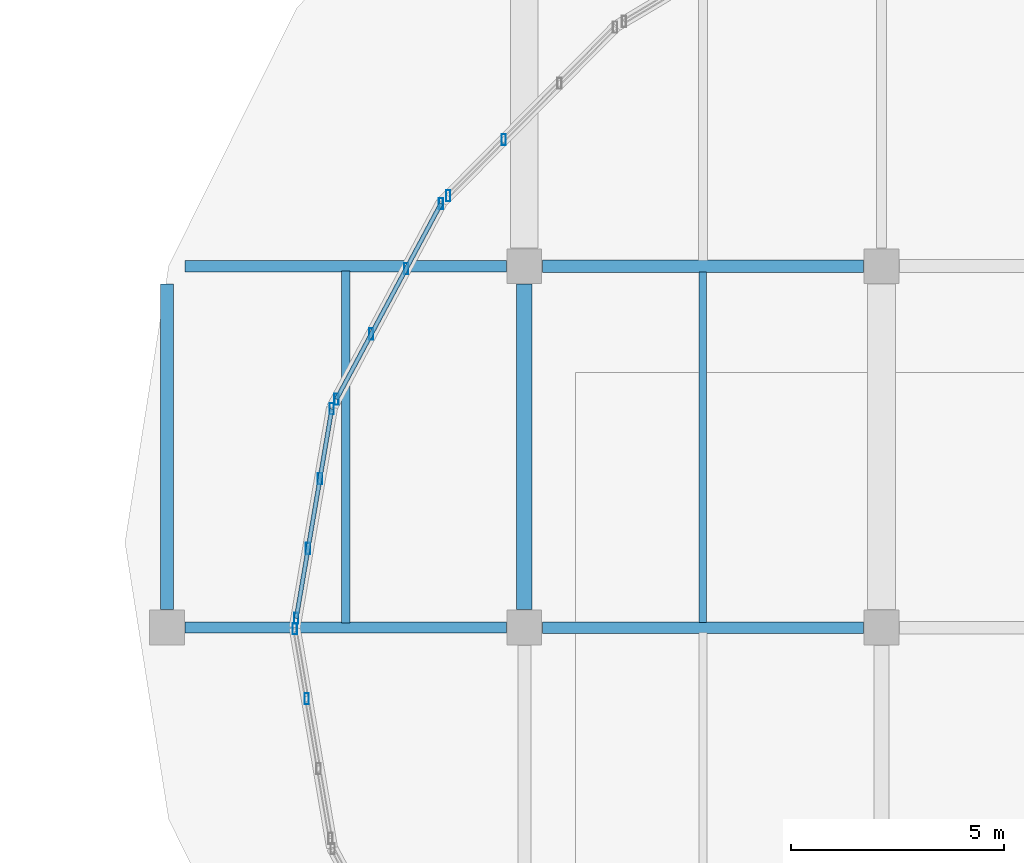
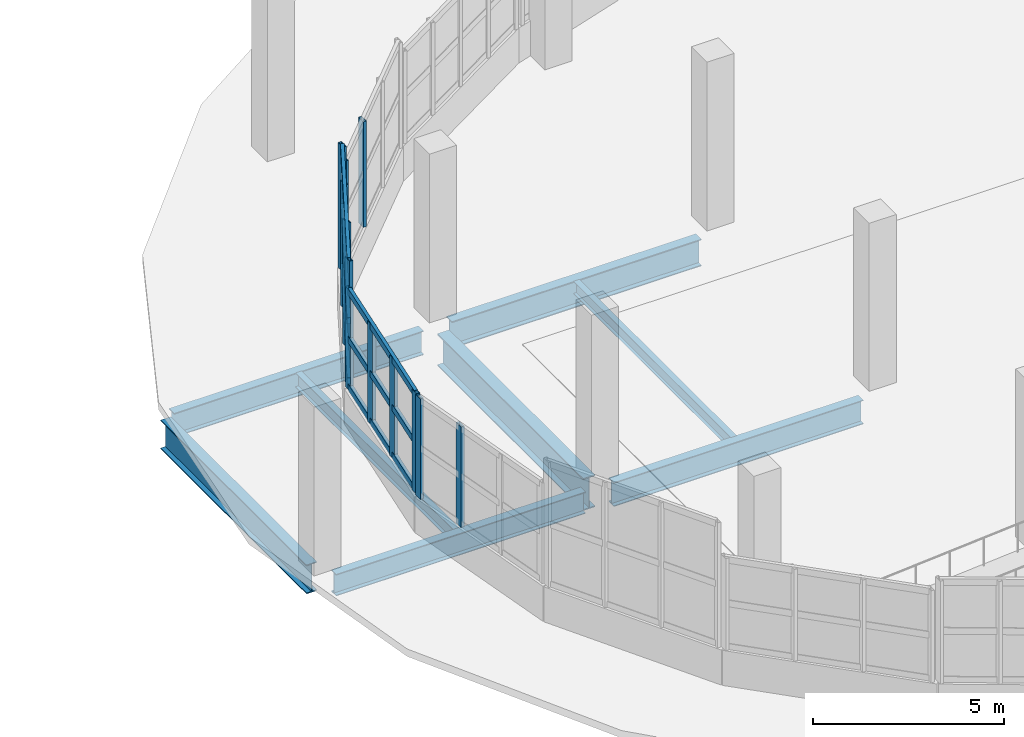
# One storey, part 8 of 107: 18 members, 8 beams, 4 elements without a shape of their own.
"""IFC4 building model written with IfcOpenShell, lengths in metres."""

from ifc_helpers import new_model, si_unit, direction, frame, origin, origin_2d, place, context, subcontext, project, spatial, hollow_rectangle, i_section, extrude, material, material_profile, profile_set, type_object, element, aggregate, save


model = new_model("IFC4")

# Units and contexts
model_context = context("Model", 3, precision=1e-05, world=origin(), true_north=direction((0.0, 1.0)))
body_context = subcontext(model_context, "Body", "Model", "MODEL_VIEW")
ifc_project = project(units=[si_unit("LENGTHUNIT", "METRE"), si_unit("AREAUNIT", "SQUARE_METRE"), si_unit("VOLUMEUNIT", "CUBIC_METRE"), si_unit("PLANEANGLEUNIT", "RADIAN"), si_unit("MASSUNIT", "GRAM", prefix="KILO")], contexts=[model_context])

# Site, building, storey
site_placement = place(None, origin())
site = spatial("IfcSite", under=ifc_project, at=site_placement, CompositionType="ELEMENT")
building_placement = place(site_placement, origin())
building = spatial("IfcBuilding", under=site, at=building_placement, Name="Solvento Point Concert Hall", CompositionType="ELEMENT")
storey_placement = place(building_placement, origin())
storey = spatial("IfcBuildingStorey", under=building, at=storey_placement, Name="L00", CompositionType="ELEMENT", Elevation=0.0)

# Beams
ifc_material_1 = material(Name="Structural Steel ASTM A992 Grade 50", Category="steel")
ifc_material_profile_1 = material_profile(ifc_material_1, i_section(OverallWidth=0.256103515625, OverallDepth=0.693115234375, WebThickness=0.014404296875, FlangeThickness=0.023681640625, at=origin_2d()), Name="W27X114")
ifc_profile_set_1 = profile_set([ifc_material_profile_1], Name="Structural Steel ASTM A992 Grade 50")
beam_type_1 = type_object("IfcBeamType", Name="Girder_W27X114", PredefinedType="USERDEFINED", material=ifc_profile_set_1)
beam_1_placement = place(storey_placement, frame((32.823974609375, 34.0, -0.760498046875), z_axis=(1.0, 0.0, 0.0), x_axis=(0.0, 1.0, 0.0)))
element("IfcBeam", 1, at=beam_1_placement, inside=storey, type_object=beam_type_1, Name="Primary girder B-23 L00", ObjectType="GIRDER", PredefinedType="USERDEFINED", context=body_context, shape_type="SweptSolid", body=[
    extrude(i_section(OverallWidth=0.256103515625, OverallDepth=0.693115234375, WebThickness=0.014404296875, FlangeThickness=0.023681640625, at=origin_2d()), origin(), (0.0, 0.0, 1.0), 7.552001953125),
])
ifc_material_2 = material(Name="Structural Steel ASTM A992 Grade 50", Category="steel")
ifc_material_profile_2 = material_profile(ifc_material_2, i_section(OverallWidth=0.26806640625, OverallDepth=0.77001953125, WebThickness=0.015625, FlangeThickness=0.025390625, at=origin_2d()), Name="W30X132")
ifc_profile_set_2 = profile_set([ifc_material_profile_2], Name="Structural Steel ASTM A992 Grade 50")
beam_type_2 = type_object("IfcBeamType", Name="Girder_W30X132", PredefinedType="USERDEFINED", material=ifc_profile_set_2)
beam_2_placement = place(storey_placement, frame((41.22412109375, 34.0, -0.799072265625), z_axis=(1.0, 0.0, 0.0), x_axis=(0.0, 1.0, 0.0)))
element("IfcBeam", 2, at=beam_2_placement, inside=storey, type_object=beam_type_2, Name="Primary girder B-68 L00", ObjectType="GIRDER", PredefinedType="USERDEFINED", context=body_context, shape_type="SweptSolid", body=[
    extrude(i_section(OverallWidth=0.26806640625, OverallDepth=0.77001953125, WebThickness=0.015625, FlangeThickness=0.025390625, at=origin_2d()), origin(), (0.0, 0.0, 1.0), 7.5517578125),
])
beam_3_placement = place(storey_placement, frame((32.823974609375, 42.5, -0.799072265625), z_axis=(1.0, 0.0, 0.0), x_axis=(0.0, 1.0, 0.0)))
element("IfcBeam", 3, at=beam_3_placement, inside=storey, type_object=beam_type_2, Name="Primary girder B-68 L00", ObjectType="GIRDER", PredefinedType="USERDEFINED", context=body_context, shape_type="SweptSolid", body=[
    extrude(i_section(OverallWidth=0.26806640625, OverallDepth=0.77001953125, WebThickness=0.015625, FlangeThickness=0.025390625, at=origin_2d()), origin(), (0.0, 0.0, 1.0), 7.552001953125),
])
ifc_material_3 = material(Name="Structural Steel ASTM A992 Grade 50", Category="steel")
ifc_material_profile_3 = material_profile(ifc_material_3, i_section(OverallWidth=0.2919921875, OverallDepth=0.85888671875, WebThickness=0.01708984375, FlangeThickness=0.031005859375, at=origin_2d()), Name="W33X169")
ifc_profile_set_3 = profile_set([ifc_material_profile_3], Name="Structural Steel ASTM A992 Grade 50")
beam_type_3 = type_object("IfcBeamType", Name="Girder_W33X169", PredefinedType="USERDEFINED", material=ifc_profile_set_3)
beam_4_placement = place(storey_placement, frame((41.22412109375, 42.5, -0.843505859375), z_axis=(1.0, 0.0, 0.0), x_axis=(0.0, 1.0, 0.0)))
element("IfcBeam", 4, at=beam_4_placement, inside=storey, type_object=beam_type_3, Name="Primary girder B-33 L00", ObjectType="GIRDER", PredefinedType="USERDEFINED", context=body_context, shape_type="SweptSolid", body=[
    extrude(i_section(OverallWidth=0.2919921875, OverallDepth=0.85888671875, WebThickness=0.01708984375, FlangeThickness=0.031005859375, at=origin_2d()), origin(), (0.0, 0.0, 1.0), 7.5517578125),
])
ifc_material_4 = material(Name="Structural Steel ASTM A992 Grade 50", Category="steel")
ifc_material_profile_4 = material_profile(ifc_material_4, i_section(OverallWidth=0.3076171875, OverallDepth=0.927001953125, WebThickness=0.019287109375, FlangeThickness=0.031982421875, at=origin_2d()), Name="W36X194")
ifc_profile_set_4 = profile_set([ifc_material_profile_4], Name="Structural Steel ASTM A992 Grade 50")
beam_type_4 = type_object("IfcBeamType", Name="Girder_W36X194", PredefinedType="USERDEFINED", material=ifc_profile_set_4)
beam_5_placement = place(storey_placement, frame((32.39990234375, 34.424072265625, -0.70751953125), z_axis=(0.0, 1.0, 0.0), x_axis=(-1.0, 0.0, 0.0)))
element("IfcBeam", 5, at=beam_5_placement, inside=storey, type_object=beam_type_4, Name="Primary girder B-61 L00", ObjectType="GIRDER", PredefinedType="USERDEFINED", context=body_context, shape_type="SweptSolid", body=[
    extrude(i_section(OverallWidth=0.3076171875, OverallDepth=0.927001953125, WebThickness=0.019287109375, FlangeThickness=0.031982421875, at=origin_2d()), origin(), (0.0, 0.0, 1.0), 7.65185546875),
])
ifc_material_5 = material(Name="Structural Steel ASTM A992 Grade 50", Category="steel")
ifc_material_profile_5 = material_profile(ifc_material_5, i_section(OverallWidth=0.361083984375, OverallDepth=1.02587890625, WebThickness=0.01904296875, FlangeThickness=0.0361328125, at=origin_2d()), Name="W40X249")
ifc_profile_set_5 = profile_set([ifc_material_profile_5], Name="Structural Steel ASTM A992 Grade 50")
beam_type_5 = type_object("IfcBeamType", Name="Girder_W40X249", PredefinedType="USERDEFINED", material=ifc_profile_set_5)
beam_6_placement = place(storey_placement, frame((40.800048828125, 34.424072265625, -0.927001953125), z_axis=(0.0, 1.0, 0.0), x_axis=(-1.0, 0.0, 0.0)))
element("IfcBeam", 6, at=beam_6_placement, inside=storey, type_object=beam_type_5, Name="Primary girder B-29 L00", ObjectType="GIRDER", PredefinedType="USERDEFINED", context=body_context, shape_type="SweptSolid", body=[
    extrude(i_section(OverallWidth=0.361083984375, OverallDepth=1.02587890625, WebThickness=0.01904296875, FlangeThickness=0.0361328125, at=origin_2d()), origin(), (0.0, 0.0, 1.0), 7.65185546875),
])
ifc_material_6 = material(Name="Structural Steel ASTM A992 Grade 50", Category="steel")
ifc_material_profile_6 = material_profile(ifc_material_6, i_section(OverallWidth=0.177490234375, OverallDepth=0.403076171875, WebThickness=0.007568359375, FlangeThickness=0.010986328125, at=origin_2d()), Name="W16X36")
ifc_profile_set_6 = profile_set([ifc_material_profile_6], Name="Structural Steel ASTM A992 Grade 50")
beam_type_6 = type_object("IfcBeamType", Name="Joist_W16X36", PredefinedType="JOIST", material=ifc_profile_set_6)
beam_7_placement = place(storey_placement, frame((45.0, 34.118896484375, -0.615478515625), z_axis=(0.0, 1.0, 0.0), x_axis=(-1.0, 0.0, 0.0)))
element("IfcBeam", 7, at=beam_7_placement, inside=storey, type_object=beam_type_6, Name="Secondary floor joist B-30 L00", PredefinedType="JOIST", context=body_context, shape_type="SweptSolid", body=[
    extrude(i_section(OverallWidth=0.177490234375, OverallDepth=0.403076171875, WebThickness=0.007568359375, FlangeThickness=0.010986328125, at=origin_2d()), origin(), (0.0, 0.0, 1.0), 8.25),
])
ifc_material_7 = material(Name="Structural Steel ASTM A992 Grade 50", Category="steel")
ifc_material_profile_7 = material_profile(ifc_material_7, i_section(OverallWidth=0.1904296875, OverallDepth=0.45703125, WebThickness=0.009033203125, FlangeThickness=0.014404296875, at=origin_2d()), Name="W18X50")
ifc_profile_set_7 = profile_set([ifc_material_profile_7], Name="Structural Steel ASTM A992 Grade 50")
beam_type_7 = type_object("IfcBeamType", Name="Joist_W18X50", PredefinedType="JOIST", material=ifc_profile_set_7)
beam_8_placement = place(storey_placement, frame((36.60009765625, 34.113037109375, -0.642578125), z_axis=(0.0, 1.0, 0.0), x_axis=(-1.0, 0.0, 0.0)))
element("IfcBeam", 8, at=beam_8_placement, inside=storey, type_object=beam_type_7, Name="Secondary floor joist B-66 L00", PredefinedType="JOIST", context=body_context, shape_type="SweptSolid", body=[
    extrude(i_section(OverallWidth=0.1904296875, OverallDepth=0.45703125, WebThickness=0.009033203125, FlangeThickness=0.014404296875, at=origin_2d()), origin(), (0.0, 0.0, 1.0), 8.26806640625),
])

# Curtain wall, members
ifc_material_8 = material(Name="Anodized Bronze Aluminium", Category="aluminium")
curtain_wall_type = type_object("IfcCurtainWallType", Name="CurtainWall_FoyerL00", PredefinedType="USERDEFINED", material=ifc_material_8)
curtain_wall_1_placement = place(storey_placement, origin())
curtain_wall_1 = element("IfcCurtainWall", 9, at=curtain_wall_1_placement, inside=storey, type_object=curtain_wall_type, Name="Unitised curtain wall CW-29 UCW-L00-005", ObjectType="UNITISED CURTAIN WALL", PredefinedType="USERDEFINED")
ifc_material_9 = material(Name="Anodized Bronze Aluminium", Category="aluminium")
ifc_material_profile_8 = material_profile(ifc_material_9, hollow_rectangle(XDim=0.10009765625, YDim=0.260009765625, WallThickness=0.0048828125, at=origin_2d()), Name="CW-MUL-100X260")
ifc_profile_set_8 = profile_set([ifc_material_profile_8], Name="Anodized Bronze Aluminium")
member_type_1 = type_object("IfcMemberType", Name="Mullion_100x260", PredefinedType="MULLION", material=ifc_profile_set_8)
member_1_placement = place(storey_placement, frame((35.68408203125, 32.3271484375, 1.1201171875), z_axis=(0.0, 0.0, 1.0), x_axis=(1.0, 0.0, 0.0)))
member_1 = element("IfcMember", 10, at=member_1_placement, type_object=member_type_1, Name="Curtain wall mullion ML-03", PredefinedType="MULLION", context=body_context, shape_type="SweptSolid", body=[
    extrude(hollow_rectangle(XDim=0.10009765625, YDim=0.260009765625, WallThickness=0.0048828125, at=origin_2d()), origin(), (0.0, 0.0, 1.0), 3.2138671875),
])
member_2_placement = place(storey_placement, frame((35.405029296875, 33.970458984375, 1.1201171875), z_axis=(0.0, 0.0, 1.0), x_axis=(1.0, 0.0, 0.0)))
member_2 = element("IfcMember", 11, at=member_2_placement, type_object=member_type_1, Name="Curtain wall mullion ML-03", PredefinedType="MULLION", context=body_context, shape_type="SweptSolid", body=[
    extrude(hollow_rectangle(XDim=0.10009765625, YDim=0.260009765625, WallThickness=0.0048828125, at=origin_2d()), origin(), (0.0, 0.0, 1.0), 3.2138671875),
])
aggregate(curtain_wall_1, [member_1, member_2])

curtain_wall_2_placement = place(storey_placement, origin())
curtain_wall_2 = element("IfcCurtainWall", 12, at=curtain_wall_2_placement, inside=storey, type_object=curtain_wall_type, Name="Unitised curtain wall CW-29 UCW-L00-006", ObjectType="UNITISED CURTAIN WALL", PredefinedType="USERDEFINED")
member_3_placement = place(storey_placement, frame((35.436767578125, 34.216796875, 1.1201171875), z_axis=(0.0, 0.0, 1.0), x_axis=(1.0, 0.0, 0.0)))
member_3 = element("IfcMember", 13, at=member_3_placement, type_object=member_type_1, Name="Curtain wall mullion ML-03", PredefinedType="MULLION", context=body_context, shape_type="SweptSolid", body=[
    extrude(hollow_rectangle(XDim=0.10009765625, YDim=0.260009765625, WallThickness=0.0048828125, at=origin_2d()), origin(), (0.0, 0.0, 1.0), 3.2138671875),
])
member_4_placement = place(storey_placement, frame((35.7158203125, 35.860107421875, 1.1201171875), z_axis=(0.0, 0.0, 1.0), x_axis=(1.0, 0.0, 0.0)))
member_4 = element("IfcMember", 14, at=member_4_placement, type_object=member_type_1, Name="Curtain wall mullion ML-03", PredefinedType="MULLION", context=body_context, shape_type="SweptSolid", body=[
    extrude(hollow_rectangle(XDim=0.10009765625, YDim=0.260009765625, WallThickness=0.0048828125, at=origin_2d()), origin(), (0.0, 0.0, 1.0), 3.2138671875),
])
member_5_placement = place(storey_placement, frame((35.9951171875, 37.50341796875, 1.1201171875), z_axis=(0.0, 0.0, 1.0), x_axis=(1.0, 0.0, 0.0)))
member_5 = element("IfcMember", 15, at=member_5_placement, type_object=member_type_1, Name="Curtain wall mullion ML-03", PredefinedType="MULLION", context=body_context, shape_type="SweptSolid", body=[
    extrude(hollow_rectangle(XDim=0.10009765625, YDim=0.260009765625, WallThickness=0.0048828125, at=origin_2d()), origin(), (0.0, 0.0, 1.0), 3.2138671875),
])
member_6_placement = place(storey_placement, frame((36.274169921875, 39.146728515625, 1.1201171875), z_axis=(0.0, 0.0, 1.0), x_axis=(1.0, 0.0, 0.0)))
member_6 = element("IfcMember", 16, at=member_6_placement, type_object=member_type_1, Name="Curtain wall mullion ML-03", PredefinedType="MULLION", context=body_context, shape_type="SweptSolid", body=[
    extrude(hollow_rectangle(XDim=0.10009765625, YDim=0.260009765625, WallThickness=0.0048828125, at=origin_2d()), origin(), (0.0, 0.0, 1.0), 3.2138671875),
])

curtain_wall_3_placement = place(storey_placement, origin())
curtain_wall_3 = element("IfcCurtainWall", 17, at=curtain_wall_3_placement, inside=storey, type_object=curtain_wall_type, Name="Unitised curtain wall CW-29 UCW-L00-007", ObjectType="UNITISED CURTAIN WALL", PredefinedType="USERDEFINED")
member_7_placement = place(storey_placement, frame((36.3828125, 39.370361328125, 1.1201171875), z_axis=(0.0, 0.0, 1.0), x_axis=(1.0, 0.0, 0.0)))
member_7 = element("IfcMember", 18, at=member_7_placement, type_object=member_type_1, Name="Curtain wall mullion ML-03", PredefinedType="MULLION", context=body_context, shape_type="SweptSolid", body=[
    extrude(hollow_rectangle(XDim=0.10009765625, YDim=0.260009765625, WallThickness=0.0048828125, at=origin_2d()), origin(), (0.0, 0.0, 1.0), 4.0),
])
member_8_placement = place(storey_placement, frame((37.20263671875, 40.90478515625, 1.1201171875), z_axis=(0.0, 0.0, 1.0), x_axis=(1.0, 0.0, 0.0)))
member_8 = element("IfcMember", 19, at=member_8_placement, type_object=member_type_1, Name="Curtain wall mullion ML-03", PredefinedType="MULLION", context=body_context, shape_type="SweptSolid", body=[
    extrude(hollow_rectangle(XDim=0.10009765625, YDim=0.260009765625, WallThickness=0.0048828125, at=origin_2d()), origin(), (0.0, 0.0, 1.0), 4.0),
])
member_9_placement = place(storey_placement, frame((38.0224609375, 42.439208984375, 1.1201171875), z_axis=(0.0, 0.0, 1.0), x_axis=(1.0, 0.0, 0.0)))
member_9 = element("IfcMember", 20, at=member_9_placement, type_object=member_type_1, Name="Curtain wall mullion ML-03", PredefinedType="MULLION", context=body_context, shape_type="SweptSolid", body=[
    extrude(hollow_rectangle(XDim=0.10009765625, YDim=0.260009765625, WallThickness=0.0048828125, at=origin_2d()), origin(), (0.0, 0.0, 1.0), 4.0),
])
member_10_placement = place(storey_placement, frame((38.84228515625, 43.973388671875, 1.1201171875), z_axis=(0.0, 0.0, 1.0), x_axis=(1.0, 0.0, 0.0)))
member_10 = element("IfcMember", 21, at=member_10_placement, type_object=member_type_1, Name="Curtain wall mullion ML-03", PredefinedType="MULLION", context=body_context, shape_type="SweptSolid", body=[
    extrude(hollow_rectangle(XDim=0.10009765625, YDim=0.260009765625, WallThickness=0.0048828125, at=origin_2d()), origin(), (0.0, 0.0, 1.0), 4.0),
])

curtain_wall_4_placement = place(storey_placement, origin())
curtain_wall_4 = element("IfcCurtainWall", 22, at=curtain_wall_4_placement, inside=storey, type_object=curtain_wall_type, Name="Unitised curtain wall CW-29 UCW-L00-008", ObjectType="UNITISED CURTAIN WALL", PredefinedType="USERDEFINED")
member_11_placement = place(storey_placement, frame((39.01123046875, 44.156494140625, 1.1201171875), z_axis=(0.0, 0.0, 1.0), x_axis=(1.0, 0.0, 0.0)))
member_11 = element("IfcMember", 23, at=member_11_placement, type_object=member_type_1, Name="Curtain wall mullion ML-03", PredefinedType="MULLION", context=body_context, shape_type="SweptSolid", body=[
    extrude(hollow_rectangle(XDim=0.10009765625, YDim=0.260009765625, WallThickness=0.0048828125, at=origin_2d()), origin(), (0.0, 0.0, 1.0), 3.3759765625),
])
member_12_placement = place(storey_placement, frame((40.3193359375, 45.477783203125, 1.1201171875), z_axis=(0.0, 0.0, 1.0), x_axis=(1.0, 0.0, 0.0)))
member_12 = element("IfcMember", 24, at=member_12_placement, type_object=member_type_1, Name="Curtain wall mullion ML-03", PredefinedType="MULLION", context=body_context, shape_type="SweptSolid", body=[
    extrude(hollow_rectangle(XDim=0.10009765625, YDim=0.260009765625, WallThickness=0.0048828125, at=origin_2d()), origin(), (0.0, 0.0, 1.0), 3.3759765625),
])
aggregate(curtain_wall_4, [member_11, member_12])

# Member
ifc_material_10 = material(Name="Anodized Bronze Aluminium", Category="aluminium")
ifc_material_profile_9 = material_profile(ifc_material_10, hollow_rectangle(XDim=0.10009765625, YDim=0.2099609375, WallThickness=0.0048828125, at=origin_2d()), Name="CW-TRN-100X210")
ifc_profile_set_9 = profile_set([ifc_material_profile_9], Name="Anodized Bronze Aluminium")
member_type_2 = type_object("IfcMemberType", Name="Transom_100x210", PredefinedType="USERDEFINED", material=ifc_profile_set_9)
member_13_placement = place(storey_placement, frame((35.436767578125, 34.216796875, 1.199951171875), z_axis=(0.167462153858, 0.985878505205, 0.0), x_axis=(-0.985878505205, 0.167462153858, 0.0)))
member_13 = element("IfcMember", 25, at=member_13_placement, type_object=member_type_2, Name="Curtain wall transom TR-03", ObjectType="TRANSOM", PredefinedType="USERDEFINED", context=body_context, shape_type="SweptSolid", body=[
    extrude(hollow_rectangle(XDim=0.10009765625, YDim=0.2099609375, WallThickness=0.0048828125, at=origin_2d()), origin(), (0.0, 0.0, 1.0), 5.00048828125),
])

member_14_placement = place(storey_placement, frame((35.436767578125, 34.216796875, 2.72705078125), z_axis=(0.167462153858, 0.985878505205, 0.0), x_axis=(-0.985878505205, 0.167462153858, 0.0)))
member_14 = element("IfcMember", 26, at=member_14_placement, type_object=member_type_2, Name="Curtain wall transom TR-03", ObjectType="TRANSOM", PredefinedType="USERDEFINED", context=body_context, shape_type="SweptSolid", body=[
    extrude(hollow_rectangle(XDim=0.10009765625, YDim=0.2099609375, WallThickness=0.0048828125, at=origin_2d()), origin(), (0.0, 0.0, 1.0), 5.00048828125),
])

member_15_placement = place(storey_placement, frame((35.436767578125, 34.216796875, 4.25390625), z_axis=(0.167462153858, 0.985878505205, 0.0), x_axis=(-0.985878505205, 0.167462153858, 0.0)))
member_15 = element("IfcMember", 27, at=member_15_placement, type_object=member_type_2, Name="Curtain wall transom TR-03", ObjectType="TRANSOM", PredefinedType="USERDEFINED", context=body_context, shape_type="SweptSolid", body=[
    extrude(hollow_rectangle(XDim=0.10009765625, YDim=0.2099609375, WallThickness=0.0048828125, at=origin_2d()), origin(), (0.0, 0.0, 1.0), 5.00048828125),
])

aggregate(curtain_wall_2, [member_3, member_4, member_5, member_6, member_13, member_14, member_15])

member_16_placement = place(storey_placement, frame((36.3828125, 39.370361328125, 1.199951171875), z_axis=(0.471263091256, 0.881992686375, 0.0), x_axis=(-0.881992686375, 0.471263091256, 0.0)))
member_16 = element("IfcMember", 28, at=member_16_placement, type_object=member_type_2, Name="Curtain wall transom TR-03", ObjectType="TRANSOM", PredefinedType="USERDEFINED", context=body_context, shape_type="SweptSolid", body=[
    extrude(hollow_rectangle(XDim=0.10009765625, YDim=0.2099609375, WallThickness=0.0048828125, at=origin_2d()), origin(), (0.0, 0.0, 1.0), 5.218994140625),
])

member_17_placement = place(storey_placement, frame((36.3828125, 39.370361328125, 3.1201171875), z_axis=(0.471263091256, 0.881992686375, 0.0), x_axis=(-0.881992686375, 0.471263091256, 0.0)))
member_17 = element("IfcMember", 29, at=member_17_placement, type_object=member_type_2, Name="Curtain wall transom TR-03", ObjectType="TRANSOM", PredefinedType="USERDEFINED", context=body_context, shape_type="SweptSolid", body=[
    extrude(hollow_rectangle(XDim=0.10009765625, YDim=0.2099609375, WallThickness=0.0048828125, at=origin_2d()), origin(), (0.0, 0.0, 1.0), 5.218994140625),
])

member_18_placement = place(storey_placement, frame((36.3828125, 39.370361328125, 5.0400390625), z_axis=(0.471263091256, 0.881992686375, 0.0), x_axis=(-0.881992686375, 0.471263091256, 0.0)))
member_18 = element("IfcMember", 30, at=member_18_placement, type_object=member_type_2, Name="Curtain wall transom TR-03", ObjectType="TRANSOM", PredefinedType="USERDEFINED", context=body_context, shape_type="SweptSolid", body=[
    extrude(hollow_rectangle(XDim=0.10009765625, YDim=0.2099609375, WallThickness=0.0048828125, at=origin_2d()), origin(), (0.0, 0.0, 1.0), 5.218994140625),
])

aggregate(curtain_wall_3, [member_7, member_8, member_9, member_10, member_16, member_17, member_18])

save(model, "model.ifc")
